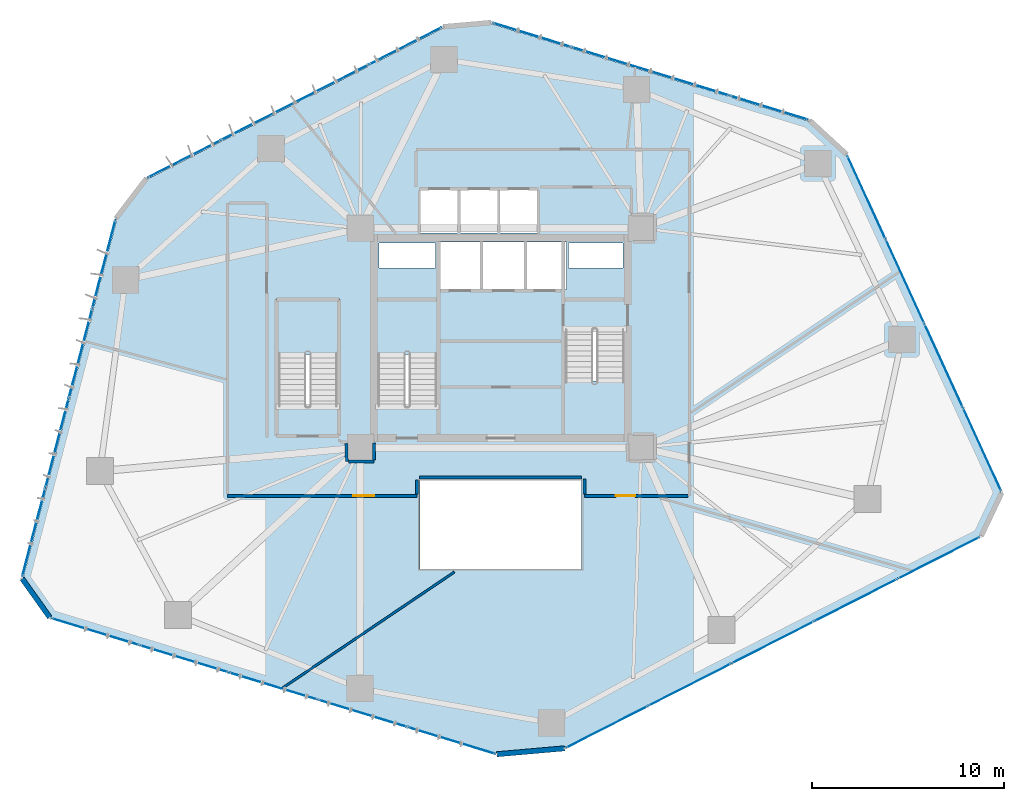
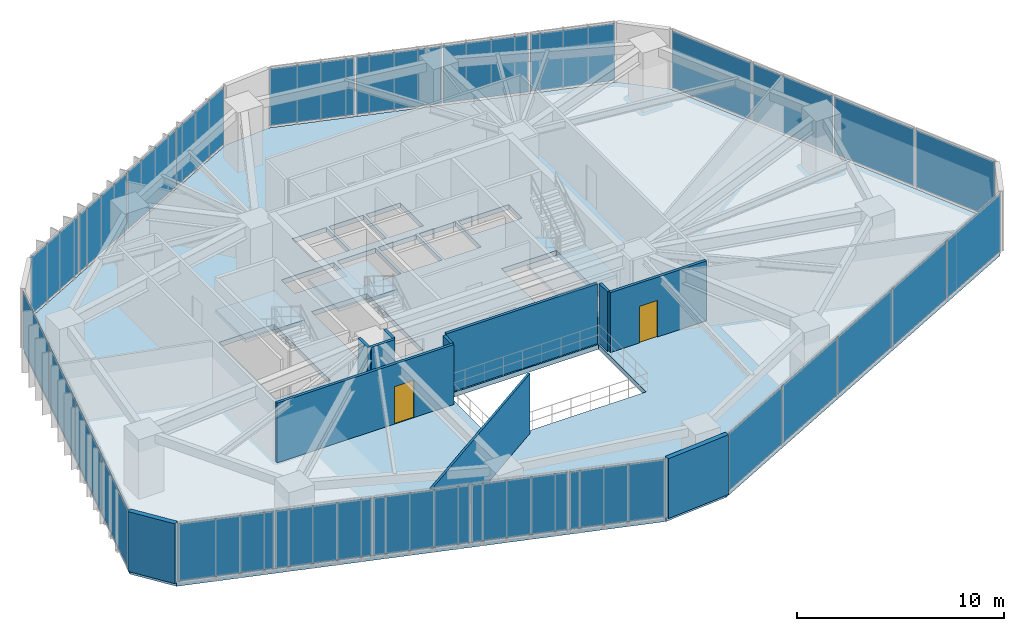
# One storey, part 18 of 24: 26 plates, 11 walls, 4 slabs, 2 doors, 2 openings, 9 elements without a shape of their own.
"""IFC4 building model written with IfcOpenShell, lengths in metres."""

from ifc_helpers import new_model, si_unit, direction, frame, frame_2d, origin, origin_2d, place, context, subcontext, project, spatial, polyline, rectangle, outline, extrude, source, transform, mapped, material, layer, layer_set, type_object, type_shapes, element, fill, aggregate, save


model = new_model("IFC4")

# Units and contexts
model_context = context("Model", 3, precision=1e-05, world=origin(), true_north=direction((0.0, 1.0)))
body_context = subcontext(model_context, "Body", "Model", "MODEL_VIEW")
ifc_project = project(units=[si_unit("LENGTHUNIT", "METRE"), si_unit("AREAUNIT", "SQUARE_METRE"), si_unit("VOLUMEUNIT", "CUBIC_METRE"), si_unit("PLANEANGLEUNIT", "RADIAN"), si_unit("MASSUNIT", "GRAM", prefix="KILO")], contexts=[model_context])

# Site, building, storey
site_placement = place(None, origin())
site = spatial("IfcSite", under=ifc_project, at=site_placement, CompositionType="ELEMENT")
building_placement = place(site_placement, origin())
building = spatial("IfcBuilding", under=site, at=building_placement, Name="Talar Marvaseh", CompositionType="ELEMENT")
storey_placement = place(building_placement, frame((0.0, 0.0, 39.199951171875)))
storey = spatial("IfcBuildingStorey", under=building, at=storey_placement, Name="L09", CompositionType="ELEMENT", Elevation=39.199951171875)

# Stair, slab
ifc_material_1 = material(Name="Concrete C40/50", Category="concrete")
stair_type = type_object("IfcStairType", Name="Reinforced Concrete Half-Turn Exit Stair Type B", PredefinedType="HALF_TURN_STAIR", material=ifc_material_1)
stair_1_placement = place(storey_placement, origin())
stair_1 = element("IfcStair", 1, at=stair_1_placement, inside=storey, type_object=stair_type, Name="L09 Tower West Core Exit Stair", PredefinedType="HALF_TURN_STAIR")
ifc_layer_1 = layer(ifc_material_1, 0.199951171875)
ifc_layer_set_1 = layer_set([ifc_layer_1], Name="Concrete C40/50")
slab_type_1 = type_object("IfcSlabType", Name="Reinforced Concrete Stair Half-Landing Slab 200", PredefinedType="LANDING", material=ifc_layer_set_1)
slab_1_placement = place(storey_placement, frame((0.0, 0.0, 1.699951171875)))
slab_1 = element("IfcSlab", 2, at=slab_1_placement, type_object=slab_type_1, Name="ST-1 landing 1", PredefinedType="LANDING", context=body_context, shape_type="SweptSolid", body=[
    extrude(outline(polyline([(22.780029296875, 30.330078125), (22.780029296875, 33.219970703125), (19.47998046875, 33.219970703125), (19.47998046875, 30.330078125), (22.780029296875, 30.330078125)])), origin(), (0.0, 0.0, 1.0), 0.2001953125),
])
aggregate(stair_1, [slab_1])

stair_2_placement = place(storey_placement, origin())
stair_2 = element("IfcStair", 3, at=stair_2_placement, inside=storey, type_object=stair_type, Name="L09 Tower East Core Exit Stair", PredefinedType="HALF_TURN_STAIR")
slab_2_placement = place(storey_placement, frame((0.0, 0.0, 1.699951171875)))
slab_2 = element("IfcSlab", 4, at=slab_2_placement, type_object=slab_type_1, Name="ST-2 landing 1", PredefinedType="LANDING", context=body_context, shape_type="SweptSolid", body=[
    extrude(outline(polyline([(29.219970703125, 28.969970703125), (29.219970703125, 26.080078125), (32.52001953125, 26.080078125), (32.52001953125, 28.969970703125), (29.219970703125, 28.969970703125)])), origin(), (0.0, 0.0, 1.0), 0.2001953125),
])
aggregate(stair_2, [slab_2])

stair_3_placement = place(storey_placement, origin())
stair_3 = element("IfcStair", 5, at=stair_3_placement, inside=storey, type_object=stair_type, Name="L09 Museum & Podium Auxiliary Exit Stair", PredefinedType="HALF_TURN_STAIR")
slab_3_placement = place(storey_placement, frame((0.0, 0.0, 1.699951171875)))
slab_3 = element("IfcSlab", 6, at=slab_3_placement, type_object=slab_type_1, Name="ST-3 landing 1", PredefinedType="LANDING", context=body_context, shape_type="SweptSolid", body=[
    extrude(outline(polyline([(17.6201171875, 30.330078125), (17.6201171875, 33.219970703125), (14.320068359375, 33.219970703125), (14.320068359375, 30.330078125), (17.6201171875, 30.330078125)])), origin(), (0.0, 0.0, 1.0), 0.2001953125),
])
aggregate(stair_3, [slab_3])

# Slab
ifc_layer_2 = layer(ifc_material_1, 0.280029296875)
ifc_layer_set_2 = layer_set([ifc_layer_2], Name="Concrete C40/50")
slab_type_2 = type_object("IfcSlabType", Name="Structural Suspended Floor Slab 280", PredefinedType="FLOOR", material=ifc_layer_set_2)
slab_4_placement = place(storey_placement, frame((0.0, 0.0, -0.280029296875)))
element("IfcSlab", 7, at=slab_4_placement, inside=storey, type_object=slab_type_2, Name="L09 Tower Floor Slab", PredefinedType="FLOOR", context=body_context, shape_type="SweptSolid", body=[
    extrude(outline(polyline([(2.61962890625, 16.707275390625), (1.1796875, 18.7314453125), (6.0537109375, 37.37109375), (7.64599609375, 39.455810546875), (23.00439453125, 47.30419921875), (25.510986328125, 47.523681640625), (41.998779296875, 42.461181640625), (43.92919921875, 40.684814453125), (51.9658203125, 23.174560546875), (50.8994140625, 20.93115234375), (29.311279296875, 9.935791015625), (25.788818359375, 9.627685546875), (2.61962890625, 16.707275390625)]), holes=[polyline([(22.659912109375, 27.64990234375), (22.659912109375, 33.10009765625), (19.60009765625, 33.10009765625), (19.60009765625, 27.64990234375), (22.659912109375, 27.64990234375)]), polyline([(29.340087890625, 31.64990234375), (29.340087890625, 26.199951171875), (32.39990234375, 26.199951171875), (32.39990234375, 31.64990234375), (29.340087890625, 31.64990234375)]), polyline([(17.5, 27.64990234375), (17.5, 33.10009765625), (14.43994140625, 33.10009765625), (14.43994140625, 27.64990234375), (17.5, 27.64990234375)]), polyline([(22.800048828125, 33.719970703125), (24.93994140625, 33.719970703125), (24.93994140625, 36.179931640625), (22.800048828125, 36.179931640625), (22.800048828125, 33.719970703125)]), polyline([(25.080078125, 33.719970703125), (27.219970703125, 33.719970703125), (27.219970703125, 36.179931640625), (25.080078125, 36.179931640625), (25.080078125, 33.719970703125)]), polyline([(27.360107421875, 33.719970703125), (29.39990234375, 33.719970703125), (29.39990234375, 36.179931640625), (27.360107421875, 36.179931640625), (27.360107421875, 33.719970703125)]), polyline([(21.840087890625, 36.659912109375), (23.760009765625, 36.659912109375), (23.760009765625, 38.8798828125), (21.840087890625, 38.8798828125), (21.840087890625, 36.659912109375)]), polyline([(23.89990234375, 36.659912109375), (25.820068359375, 36.659912109375), (25.820068359375, 38.8798828125), (23.89990234375, 38.8798828125), (23.89990234375, 36.659912109375)]), polyline([(25.9599609375, 36.659912109375), (27.8798828125, 36.659912109375), (27.8798828125, 38.8798828125), (25.9599609375, 38.8798828125), (25.9599609375, 36.659912109375)]), polyline([(19.659912109375, 34.840087890625), (22.60009765625, 34.840087890625), (22.60009765625, 36.139892578125), (19.659912109375, 36.139892578125), (19.659912109375, 34.840087890625)]), polyline([(29.52001953125, 34.840087890625), (32.340087890625, 34.840087890625), (32.340087890625, 36.139892578125), (29.52001953125, 36.139892578125), (29.52001953125, 34.840087890625)]), polyline([(21.800048828125, 19.199951171875), (30.199951171875, 19.199951171875), (30.199951171875, 23.800048828125), (21.800048828125, 23.800048828125), (21.800048828125, 19.199951171875)])]), origin(), (0.0, 0.0, 1.0), 0.280029296875),
])

# Curtain wall, plates
ifc_material_2 = material(Name="Architectural Aluminium", Category="aluminium")
ifc_layer_3 = layer(ifc_material_2, 0.219970703125)
ifc_layer_set_3 = layer_set([ifc_layer_3], Name="Architectural Aluminium")
curtain_wall_type = type_object("IfcCurtainWallType", Name="Unitised Low-E Museum Curtain Wall Z1", PredefinedType="NOTDEFINED", material=ifc_layer_set_3)
curtain_wall_1_placement = place(storey_placement, origin())
curtain_wall_1 = element("IfcCurtainWall", 8, at=curtain_wall_1_placement, inside=storey, type_object=curtain_wall_type, Name="L09 Unitised Low-E Museum Curtain Wall Z1", PredefinedType="NOTDEFINED")
ifc_material_3 = material(Name="Laminated Low-E Solar Glass", Category="glass")
ifc_layer_4 = layer(ifc_material_3, 0.028076171875)
ifc_layer_set_4 = layer_set([ifc_layer_4], Name="Laminated Low-E Solar Glass")
plate_type = type_object("IfcPlateType", Name="Double-Glazed Low-E Vision Curtain Panel 28", PredefinedType="CURTAIN_PANEL", material=ifc_layer_set_4)
shared_shape_1 = source(origin(), body_context, "Body", "SweptSolid", [
    extrude(rectangle(XDim=4.696533203125, YDim=0.028076171875, at=origin_2d()), origin(), (0.0, 0.0, 1.0), 3.3701171875),
])
plate_1_placement = place(storey_placement, frame((1.736083984375, 21.095947265625, 0.074951171875), z_axis=(0.0, 0.0, 1.0), x_axis=(0.252979238038, 0.96747170766, 0.0)))
plate_1 = element("IfcPlate", 9, at=plate_1_placement, type_object=plate_type, Name="CW-Z1 panel 1.1", PredefinedType="CURTAIN_PANEL", context=body_context, shape_type="MappedRepresentation", body=[
    mapped(shared_shape_1, transform((0.0, 0.0, 0.0), x_axis=(1.0, 0.0, 0.0), y_axis=(0.0, 1.0, 0.0), z_axis=(0.0, 0.0, 1.0), scale=1.0)),
])
plate_2_placement = place(storey_placement, frame((5.381591796875, 35.037109375, 0.074951171875), z_axis=(0.0, 0.0, 1.0), x_axis=(0.252979238038, 0.96747170766, 0.0)))
plate_2 = element("IfcPlate", 10, at=plate_2_placement, type_object=plate_type, Name="CW-Z1 panel 4.1", PredefinedType="CURTAIN_PANEL", context=body_context, shape_type="MappedRepresentation", body=[
    mapped(shared_shape_1, transform((0.0, 0.0, 0.0), x_axis=(1.0, 0.0, 0.0), y_axis=(0.0, 1.0, 0.0), z_axis=(0.0, 0.0, 1.0), scale=1.0)),
])

curtain_wall_2_placement = place(storey_placement, origin())
curtain_wall_2 = element("IfcCurtainWall", 11, at=curtain_wall_2_placement, inside=storey, type_object=curtain_wall_type, Name="L09 Unitised Low-E Museum Curtain Wall Z1", PredefinedType="NOTDEFINED")
plate_3_placement = place(storey_placement, frame((44.99658203125, 38.5029296875, 0.074951171875), z_axis=(0.0, 0.0, 1.0), x_axis=(0.417134698599, -0.908844674972, 0.0)))
plate_3 = element("IfcPlate", 12, at=plate_3_placement, type_object=plate_type, Name="CW-Z1 panel 1.1", PredefinedType="CURTAIN_PANEL", context=body_context, shape_type="MappedRepresentation", body=[
    mapped(shared_shape_1, transform((0.0, 0.0, 0.0), x_axis=(1.0, 0.0, 0.0), y_axis=(0.0, 1.0, 0.0), z_axis=(0.0, 0.0, 1.0), scale=1.0)),
])
plate_4_placement = place(storey_placement, frame((51.00732421875, 25.406494140625, 0.074951171875), z_axis=(0.0, 0.0, 1.0), x_axis=(0.417134698599, -0.908844674972, 0.0)))
plate_4 = element("IfcPlate", 13, at=plate_4_placement, type_object=plate_type, Name="CW-Z1 panel 4.1", PredefinedType="CURTAIN_PANEL", context=body_context, shape_type="MappedRepresentation", body=[
    mapped(shared_shape_1, transform((0.0, 0.0, 0.0), x_axis=(1.0, 0.0, 0.0), y_axis=(0.0, 1.0, 0.0), z_axis=(0.0, 0.0, 1.0), scale=1.0)),
])

# Plate
shared_shape_2 = source(origin(), body_context, "Body", "SweptSolid", [
    extrude(rectangle(XDim=4.736572265625, YDim=0.028076171875, at=origin_2d()), origin(), (0.0, 0.0, 1.0), 3.3701171875),
])
plate_5_placement = place(storey_placement, frame((2.949462890625, 25.736572265625, 0.074951171875), z_axis=(0.0, 0.0, 1.0), x_axis=(0.252979238038, 0.96747170766, 0.0)))
plate_5 = element("IfcPlate", 14, at=plate_5_placement, type_object=plate_type, Name="CW-Z1 panel 2.1", PredefinedType="CURTAIN_PANEL", context=body_context, shape_type="MappedRepresentation", body=[
    mapped(shared_shape_2, transform((0.0, 0.0, 0.0), x_axis=(1.0, 0.0, 0.0), y_axis=(0.0, 1.0, 0.0), z_axis=(0.0, 0.0, 1.0), scale=1.0)),
])

plate_6_placement = place(storey_placement, frame((4.16796875, 30.396484375, 0.074951171875), z_axis=(0.0, 0.0, 1.0), x_axis=(0.252979238038, 0.96747170766, 0.0)))
plate_6 = element("IfcPlate", 15, at=plate_6_placement, type_object=plate_type, Name="CW-Z1 panel 3.1", PredefinedType="CURTAIN_PANEL", context=body_context, shape_type="MappedRepresentation", body=[
    mapped(shared_shape_2, transform((0.0, 0.0, 0.0), x_axis=(1.0, 0.0, 0.0), y_axis=(0.0, 1.0, 0.0), z_axis=(0.0, 0.0, 1.0), scale=1.0)),
])

aggregate(curtain_wall_1, [plate_1, plate_5, plate_6, plate_2])

plate_7_placement = place(storey_placement, frame((46.997314453125, 34.1435546875, 0.074951171875), z_axis=(0.0, 0.0, 1.0), x_axis=(0.417134698599, -0.908844674972, 0.0)))
plate_7 = element("IfcPlate", 16, at=plate_7_placement, type_object=plate_type, Name="CW-Z1 panel 2.1", PredefinedType="CURTAIN_PANEL", context=body_context, shape_type="MappedRepresentation", body=[
    mapped(shared_shape_2, transform((0.0, 0.0, 0.0), x_axis=(1.0, 0.0, 0.0), y_axis=(0.0, 1.0, 0.0), z_axis=(0.0, 0.0, 1.0), scale=1.0)),
])

plate_8_placement = place(storey_placement, frame((49.006591796875, 29.765869140625, 0.074951171875), z_axis=(0.0, 0.0, 1.0), x_axis=(0.417134698599, -0.908844674972, 0.0)))
plate_8 = element("IfcPlate", 17, at=plate_8_placement, type_object=plate_type, Name="CW-Z1 panel 3.1", PredefinedType="CURTAIN_PANEL", context=body_context, shape_type="MappedRepresentation", body=[
    mapped(shared_shape_2, transform((0.0, 0.0, 0.0), x_axis=(1.0, 0.0, 0.0), y_axis=(0.0, 1.0, 0.0), z_axis=(0.0, 0.0, 1.0), scale=1.0)),
])

aggregate(curtain_wall_2, [plate_3, plate_7, plate_8, plate_4])

# Curtain wall, plates
curtain_wall_3_placement = place(storey_placement, origin())
curtain_wall_3 = element("IfcCurtainWall", 18, at=curtain_wall_3_placement, inside=storey, type_object=curtain_wall_type, Name="L09 Unitised Low-E Museum Curtain Wall Z1", PredefinedType="NOTDEFINED")
shared_shape_3 = source(origin(), body_context, "Body", "SweptSolid", [
    extrude(rectangle(XDim=4.19189453125, YDim=0.028076171875, at=origin_2d()), origin(), (0.0, 0.0, 1.0), 3.3701171875),
])
plate_9_placement = place(storey_placement, frame((9.556396484375, 40.49951171875, 0.074951171875), z_axis=(0.0, 0.0, 1.0), x_axis=(0.890468722661, 0.455044452732, 0.0)))
plate_9 = element("IfcPlate", 19, at=plate_9_placement, type_object=plate_type, Name="CW-Z1 panel 1.1", PredefinedType="CURTAIN_PANEL", context=body_context, shape_type="MappedRepresentation", body=[
    mapped(shared_shape_3, transform((0.0, 0.0, 0.0), x_axis=(1.0, 0.0, 0.0), y_axis=(0.0, 1.0, 0.0), z_axis=(0.0, 0.0, 1.0), scale=1.0)),
])
plate_10_placement = place(storey_placement, frame((21.03955078125, 46.367431640625, 0.074951171875), z_axis=(0.0, 0.0, 1.0), x_axis=(0.890468722661, 0.455044452732, 0.0)))
plate_10 = element("IfcPlate", 20, at=plate_10_placement, type_object=plate_type, Name="CW-Z1 panel 4.1", PredefinedType="CURTAIN_PANEL", context=body_context, shape_type="MappedRepresentation", body=[
    mapped(shared_shape_3, transform((0.0, 0.0, 0.0), x_axis=(1.0, 0.0, 0.0), y_axis=(0.0, 1.0, 0.0), z_axis=(0.0, 0.0, 1.0), scale=1.0)),
])

curtain_wall_4_placement = place(storey_placement, origin())
curtain_wall_4 = element("IfcCurtainWall", 21, at=curtain_wall_4_placement, inside=storey, type_object=curtain_wall_type, Name="L09 Unitised Low-E Museum Curtain Wall Z1", PredefinedType="NOTDEFINED")
plate_11_placement = place(storey_placement, frame((27.608642578125, 46.9423828125, 0.074951171875), z_axis=(0.0, 0.0, 1.0), x_axis=(0.955956470322, -0.293508478326, 0.0)))
plate_11 = element("IfcPlate", 22, at=plate_11_placement, type_object=plate_type, Name="CW-Z1 panel 1.1", PredefinedType="CURTAIN_PANEL", context=body_context, shape_type="MappedRepresentation", body=[
    mapped(shared_shape_3, transform((0.0, 0.0, 0.0), x_axis=(1.0, 0.0, 0.0), y_axis=(0.0, 1.0, 0.0), z_axis=(0.0, 0.0, 1.0), scale=1.0)),
])
plate_12_placement = place(storey_placement, frame((39.936279296875, 43.157470703125, 0.074951171875), z_axis=(0.0, 0.0, 1.0), x_axis=(0.955956470322, -0.293508478326, 0.0)))
plate_12 = element("IfcPlate", 23, at=plate_12_placement, type_object=plate_type, Name="CW-Z1 panel 4.1", PredefinedType="CURTAIN_PANEL", context=body_context, shape_type="MappedRepresentation", body=[
    mapped(shared_shape_3, transform((0.0, 0.0, 0.0), x_axis=(1.0, 0.0, 0.0), y_axis=(0.0, 1.0, 0.0), z_axis=(0.0, 0.0, 1.0), scale=1.0)),
])

# Plate
shared_shape_4 = source(origin(), body_context, "Body", "SweptSolid", [
    extrude(rectangle(XDim=4.23193359375, YDim=0.028076171875, at=origin_2d()), origin(), (0.0, 0.0, 1.0), 3.3701171875),
])
plate_13_placement = place(storey_placement, frame((13.378173828125, 42.452392578125, 0.074951171875), z_axis=(0.0, 0.0, 1.0), x_axis=(0.890468722661, 0.455044452732, 0.0)))
plate_13 = element("IfcPlate", 24, at=plate_13_placement, type_object=plate_type, Name="CW-Z1 panel 2.1", PredefinedType="CURTAIN_PANEL", context=body_context, shape_type="MappedRepresentation", body=[
    mapped(shared_shape_4, transform((0.0, 0.0, 0.0), x_axis=(1.0, 0.0, 0.0), y_axis=(0.0, 1.0, 0.0), z_axis=(0.0, 0.0, 1.0), scale=1.0)),
])

plate_14_placement = place(storey_placement, frame((17.2177734375, 44.41455078125, 0.074951171875), z_axis=(0.0, 0.0, 1.0), x_axis=(0.890468722661, 0.455044452732, 0.0)))
plate_14 = element("IfcPlate", 25, at=plate_14_placement, type_object=plate_type, Name="CW-Z1 panel 3.1", PredefinedType="CURTAIN_PANEL", context=body_context, shape_type="MappedRepresentation", body=[
    mapped(shared_shape_4, transform((0.0, 0.0, 0.0), x_axis=(1.0, 0.0, 0.0), y_axis=(0.0, 1.0, 0.0), z_axis=(0.0, 0.0, 1.0), scale=1.0)),
])

aggregate(curtain_wall_3, [plate_9, plate_13, plate_14, plate_10])

plate_15_placement = place(storey_placement, frame((31.711669921875, 45.6826171875, 0.074951171875), z_axis=(0.0, 0.0, 1.0), x_axis=(0.955956470322, -0.293508478326, 0.0)))
plate_15 = element("IfcPlate", 26, at=plate_15_placement, type_object=plate_type, Name="CW-Z1 panel 2.1", PredefinedType="CURTAIN_PANEL", context=body_context, shape_type="MappedRepresentation", body=[
    mapped(shared_shape_4, transform((0.0, 0.0, 0.0), x_axis=(1.0, 0.0, 0.0), y_axis=(0.0, 1.0, 0.0), z_axis=(0.0, 0.0, 1.0), scale=1.0)),
])

plate_16_placement = place(storey_placement, frame((35.83349609375, 44.4169921875, 0.074951171875), z_axis=(0.0, 0.0, 1.0), x_axis=(0.955956470322, -0.293508478326, 0.0)))
plate_16 = element("IfcPlate", 27, at=plate_16_placement, type_object=plate_type, Name="CW-Z1 panel 3.1", PredefinedType="CURTAIN_PANEL", context=body_context, shape_type="MappedRepresentation", body=[
    mapped(shared_shape_4, transform((0.0, 0.0, 0.0), x_axis=(1.0, 0.0, 0.0), y_axis=(0.0, 1.0, 0.0), z_axis=(0.0, 0.0, 1.0), scale=1.0)),
])

aggregate(curtain_wall_4, [plate_11, plate_15, plate_16, plate_12])

# Curtain wall, plates
curtain_wall_5_placement = place(storey_placement, origin())
curtain_wall_5 = element("IfcCurtainWall", 28, at=curtain_wall_5_placement, inside=storey, type_object=curtain_wall_type, Name="L09 Unitised Low-E Museum Curtain Wall Z1", PredefinedType="NOTDEFINED")
shared_shape_5 = source(origin(), body_context, "Body", "SweptSolid", [
    extrude(rectangle(XDim=4.725341796875, YDim=0.028076171875, at=origin_2d()), origin(), (0.0, 0.0, 1.0), 3.3701171875),
])
plate_17_placement = place(storey_placement, frame((48.75, 19.76904296875, 0.074951171875), z_axis=(0.0, 0.0, 1.0), x_axis=(-0.891078049709, -0.453850095655, 0.0)))
plate_17 = element("IfcPlate", 29, at=plate_17_placement, type_object=plate_type, Name="CW-Z1 panel 1.1", PredefinedType="CURTAIN_PANEL", context=body_context, shape_type="MappedRepresentation", body=[
    mapped(shared_shape_5, transform((0.0, 0.0, 0.0), x_axis=(1.0, 0.0, 0.0), y_axis=(0.0, 1.0, 0.0), z_axis=(0.0, 0.0, 1.0), scale=1.0)),
])
plate_18_placement = place(storey_placement, frame((31.51513671875, 10.990966796875, 0.074951171875), z_axis=(0.0, 0.0, 1.0), x_axis=(-0.891078049709, -0.453850095655, 0.0)))
plate_18 = element("IfcPlate", 30, at=plate_18_placement, type_object=plate_type, Name="CW-Z1 panel 5.1", PredefinedType="CURTAIN_PANEL", context=body_context, shape_type="MappedRepresentation", body=[
    mapped(shared_shape_5, transform((0.0, 0.0, 0.0), x_axis=(1.0, 0.0, 0.0), y_axis=(0.0, 1.0, 0.0), z_axis=(0.0, 0.0, 1.0), scale=1.0)),
])

curtain_wall_6_placement = place(storey_placement, origin())
curtain_wall_6 = element("IfcCurtainWall", 31, at=curtain_wall_6_placement, inside=storey, type_object=curtain_wall_type, Name="L09 Unitised Low-E Museum Curtain Wall Z1", PredefinedType="NOTDEFINED")
plate_19_placement = place(storey_placement, frame((23.435302734375, 10.283935546875, 0.074951171875), z_axis=(0.0, 0.0, 1.0), x_axis=(-0.956350161163, 0.29222314974, 0.0)))
plate_19 = element("IfcPlate", 32, at=plate_19_placement, type_object=plate_type, Name="CW-Z1 panel 1.1", PredefinedType="CURTAIN_PANEL", context=body_context, shape_type="MappedRepresentation", body=[
    mapped(shared_shape_5, transform((0.0, 0.0, 0.0), x_axis=(1.0, 0.0, 0.0), y_axis=(0.0, 1.0, 0.0), z_axis=(0.0, 0.0, 1.0), scale=1.0)),
])
plate_20_placement = place(storey_placement, frame((4.938232421875, 15.93603515625, 0.074951171875), z_axis=(0.0, 0.0, 1.0), x_axis=(-0.956350161163, 0.29222314974, 0.0)))
plate_20 = element("IfcPlate", 33, at=plate_20_placement, type_object=plate_type, Name="CW-Z1 panel 5.1", PredefinedType="CURTAIN_PANEL", context=body_context, shape_type="MappedRepresentation", body=[
    mapped(shared_shape_5, transform((0.0, 0.0, 0.0), x_axis=(1.0, 0.0, 0.0), y_axis=(0.0, 1.0, 0.0), z_axis=(0.0, 0.0, 1.0), scale=1.0)),
])

# Plate
shared_shape_6 = source(origin(), body_context, "Body", "SweptSolid", [
    extrude(rectangle(XDim=4.765380859375, YDim=0.028076171875, at=origin_2d()), origin(), (0.0, 0.0, 1.0), 3.3701171875),
])
type_shapes(plate_type, [shared_shape_1, shared_shape_2, shared_shape_3, shared_shape_4, shared_shape_5, shared_shape_6])
plate_21_placement = place(storey_placement, frame((44.4501953125, 17.5791015625, 0.074951171875), z_axis=(0.0, 0.0, 1.0), x_axis=(-0.891078049709, -0.453850095655, 0.0)))
plate_21 = element("IfcPlate", 34, at=plate_21_placement, type_object=plate_type, Name="CW-Z1 panel 2.1", PredefinedType="CURTAIN_PANEL", context=body_context, shape_type="MappedRepresentation", body=[
    mapped(shared_shape_6, transform((0.0, 0.0, 0.0), x_axis=(1.0, 0.0, 0.0), y_axis=(0.0, 1.0, 0.0), z_axis=(0.0, 0.0, 1.0), scale=1.0)),
])

plate_22_placement = place(storey_placement, frame((40.132568359375, 15.3798828125, 0.074951171875), z_axis=(0.0, 0.0, 1.0), x_axis=(-0.891078049709, -0.453850095655, 0.0)))
plate_22 = element("IfcPlate", 35, at=plate_22_placement, type_object=plate_type, Name="CW-Z1 panel 3.1", PredefinedType="CURTAIN_PANEL", context=body_context, shape_type="MappedRepresentation", body=[
    mapped(shared_shape_6, transform((0.0, 0.0, 0.0), x_axis=(1.0, 0.0, 0.0), y_axis=(0.0, 1.0, 0.0), z_axis=(0.0, 0.0, 1.0), scale=1.0)),
])

plate_23_placement = place(storey_placement, frame((35.81494140625, 13.180908203125, 0.074951171875), z_axis=(0.0, 0.0, 1.0), x_axis=(-0.891078049709, -0.453850095655, 0.0)))
plate_23 = element("IfcPlate", 36, at=plate_23_placement, type_object=plate_type, Name="CW-Z1 panel 4.1", PredefinedType="CURTAIN_PANEL", context=body_context, shape_type="MappedRepresentation", body=[
    mapped(shared_shape_6, transform((0.0, 0.0, 0.0), x_axis=(1.0, 0.0, 0.0), y_axis=(0.0, 1.0, 0.0), z_axis=(0.0, 0.0, 1.0), scale=1.0)),
])

aggregate(curtain_wall_5, [plate_17, plate_21, plate_22, plate_23, plate_18])

plate_24_placement = place(storey_placement, frame((18.820556640625, 11.694091796875, 0.074951171875), z_axis=(0.0, 0.0, 1.0), x_axis=(-0.956350161163, 0.29222314974, 0.0)))
plate_24 = element("IfcPlate", 37, at=plate_24_placement, type_object=plate_type, Name="CW-Z1 panel 2.1", PredefinedType="CURTAIN_PANEL", context=body_context, shape_type="MappedRepresentation", body=[
    mapped(shared_shape_6, transform((0.0, 0.0, 0.0), x_axis=(1.0, 0.0, 0.0), y_axis=(0.0, 1.0, 0.0), z_axis=(0.0, 0.0, 1.0), scale=1.0)),
])

plate_25_placement = place(storey_placement, frame((14.186767578125, 13.110107421875, 0.074951171875), z_axis=(0.0, 0.0, 1.0), x_axis=(-0.956350161163, 0.29222314974, 0.0)))
plate_25 = element("IfcPlate", 38, at=plate_25_placement, type_object=plate_type, Name="CW-Z1 panel 3.1", PredefinedType="CURTAIN_PANEL", context=body_context, shape_type="MappedRepresentation", body=[
    mapped(shared_shape_6, transform((0.0, 0.0, 0.0), x_axis=(1.0, 0.0, 0.0), y_axis=(0.0, 1.0, 0.0), z_axis=(0.0, 0.0, 1.0), scale=1.0)),
])

plate_26_placement = place(storey_placement, frame((9.552978515625, 14.52587890625, 0.074951171875), z_axis=(0.0, 0.0, 1.0), x_axis=(-0.956350161163, 0.29222314974, 0.0)))
plate_26 = element("IfcPlate", 39, at=plate_26_placement, type_object=plate_type, Name="CW-Z1 panel 4.1", PredefinedType="CURTAIN_PANEL", context=body_context, shape_type="MappedRepresentation", body=[
    mapped(shared_shape_6, transform((0.0, 0.0, 0.0), x_axis=(1.0, 0.0, 0.0), y_axis=(0.0, 1.0, 0.0), z_axis=(0.0, 0.0, 1.0), scale=1.0)),
])

aggregate(curtain_wall_6, [plate_19, plate_24, plate_25, plate_26, plate_20])

# Walls
ifc_material_4 = material(Name="Precast concrete C45/55", Category="concrete")
ifc_layer_5 = layer(ifc_material_4, 0.27001953125)
ifc_layer_set_5 = layer_set([ifc_layer_5], Name="Precast concrete C45/55")
wall_type_1 = type_object("IfcWallType", Name="Chamfered Hexagonal Corner Pier Wall Z1 270", PredefinedType="SOLIDWALL", material=ifc_layer_set_5)
wall_1_placement = place(storey_placement, frame((2.57080078125, 16.67236328125, 0.0), z_axis=(0.0, 0.0, 1.0), x_axis=(-0.579665929936, 0.814854226025, 0.0)))
element("IfcWall", 40, at=wall_1_placement, inside=storey, type_object=wall_type_1, Name="L09 Chamfered Corner Limestone Pier 1", PredefinedType="SOLIDWALL", context=body_context, shape_type="SweptSolid", body=[
    extrude(rectangle(XDim=2.484130859375, YDim=0.27001953125, at=frame_2d((1.2421875, 0.0))), origin(), (0.0, 0.0, 1.0), 3.52001953125),
])
wall_2_placement = place(storey_placement, frame((29.316650390625, 9.8759765625, 0.0), z_axis=(0.0, 0.0, 1.0), x_axis=(-0.99619641505, -0.087136115594, 0.0)))
element("IfcWall", 41, at=wall_2_placement, inside=storey, type_object=wall_type_1, Name="L09 Chamfered Corner Limestone Pier 6", PredefinedType="SOLIDWALL", context=body_context, shape_type="SweptSolid", body=[
    extrude(rectangle(XDim=3.535888671875, YDim=0.27001953125, at=frame_2d((1.76806640625, 0.0))), origin(), (0.0, 0.0, 1.0), 3.52001953125),
])

# Wall, opening, door
ifc_material_5 = material(Name="Gypsum Board Partition Assembly")
ifc_layer_6 = layer(ifc_material_5, 0.155029296875)
ifc_layer_set_6 = layer_set([ifc_layer_6], Name="Gypsum Board Partition Assembly")
wall_type_2 = type_object("IfcWallType", Name="Corridor Fire-Rated Acoustic Partition 155", PredefinedType="PARTITIONING", material=ifc_layer_set_6)
wall_3_placement = place(storey_placement, frame((21.639892578125, 23.0, 0.0), z_axis=(0.0, 0.0, 1.0), x_axis=(-1.0, 0.0, 0.0)))
wall_3 = element("IfcWall", 42, at=wall_3_placement, inside=storey, type_object=wall_type_2, Name="L09 Interior Partition Wall", PredefinedType="PARTITIONING", context=body_context, shape_type="SweptSolid", body=[
    extrude(rectangle(XDim=9.83984375, YDim=0.155029296875, at=frame_2d((4.919921875, 0.0))), origin(), (0.0, 0.0, 1.0), 3.52001953125),
])
opening_1_placement = place(wall_3_placement, frame((2.205078125, 0.0, 0.0)))
opening_1 = element("IfcOpeningElement", 43, at=opening_1_placement, cuts=wall_3, Name="Opening DR-RM110", PredefinedType="OPENING", context=body_context, shape_type="SweptSolid", body=[
    extrude(rectangle(XDim=1.10009765625, YDim=2.199951171875, at=frame_2d((0.550048828125, 1.10009765625))), frame((0.0, 0.08740234375, 0.0), z_axis=(0.0, -1.0, 0.0), x_axis=(1.0, 0.0, 0.0)), (0.0, 0.0, 1.0), 0.175048828125),
])
ifc_material_6 = material(Name="Acoustic Engineered Oak Timber", Category="wood")
door_type_1 = type_object("IfcDoorType", Name="Assembly and Reading Hall Door 1100x2200", OperationType="NOTDEFINED", PredefinedType="DOOR", material=ifc_material_6)
shared_shape_7 = source(origin(), body_context, "Body", "SweptSolid", [
    extrude(rectangle(XDim=1.10009765625, YDim=2.199951171875, at=frame_2d((0.550048828125, 1.10009765625))), frame((0.0, 0.02490234375, 0.0), z_axis=(0.0, -1.0, 0.0), x_axis=(1.0, 0.0, 0.0)), (0.0, 0.0, 1.0), 0.050048828125),
])
type_shapes(door_type_1, [shared_shape_7])
door_1_placement = place(opening_1_placement, origin())
door_1 = element("IfcDoor", 44, at=door_1_placement, inside=storey, type_object=door_type_1, Name="L09 Exhibition Gallery Door", OperationType="SINGLE_SWING_RIGHT", OverallHeight=2.199951171875, OverallWidth=1.10009765625, PredefinedType="DOOR", context=body_context, shape_type="MappedRepresentation", body=[
    mapped(shared_shape_7, transform((0.0, 0.0, 0.0), x_axis=(1.0, 0.0, 0.0), y_axis=(0.0, 1.0, 0.0), z_axis=(0.0, 0.0, 1.0), scale=1.0)),
])
fill(opening_1, door_1)

wall_4_placement = place(storey_placement, frame((35.716552734375, 23.0, 0.0), z_axis=(0.0, 0.0, 1.0), x_axis=(-1.0, 0.0, 0.0)))
wall_4 = element("IfcWall", 45, at=wall_4_placement, inside=storey, type_object=wall_type_2, Name="L09 Interior Partition Wall", PredefinedType="PARTITIONING", context=body_context, shape_type="SweptSolid", body=[
    extrude(rectangle(XDim=5.3564453125, YDim=0.155029296875, at=frame_2d((2.67822265625, 0.0))), origin(), (0.0, 0.0, 1.0), 3.52001953125),
])
opening_2_placement = place(wall_4_placement, frame((2.735107421875, 0.0, 0.0)))
opening_2 = element("IfcOpeningElement", 46, at=opening_2_placement, cuts=wall_4, Name="Opening DR-RM100", PredefinedType="OPENING", context=body_context, shape_type="SweptSolid", body=[
    extrude(rectangle(XDim=1.0, YDim=2.14990234375, at=frame_2d((0.5, 1.074951171875))), frame((0.0, 0.08740234375, 0.0), z_axis=(0.0, -1.0, 0.0), x_axis=(1.0, 0.0, 0.0)), (0.0, 0.0, 1.0), 0.175048828125),
])
door_type_2 = type_object("IfcDoorType", Name="Corridor Fire-Rated Gallery Door 1000x2150", OperationType="NOTDEFINED", PredefinedType="DOOR", material=ifc_material_6)
shared_shape_8 = source(origin(), body_context, "Body", "SweptSolid", [
    extrude(rectangle(XDim=1.0, YDim=2.14990234375, at=frame_2d((0.5, 1.074951171875))), frame((0.0, 0.02490234375, 0.0), z_axis=(0.0, -1.0, 0.0), x_axis=(1.0, 0.0, 0.0)), (0.0, 0.0, 1.0), 0.050048828125),
])
type_shapes(door_type_2, [shared_shape_8])
door_2_placement = place(opening_2_placement, origin())
door_2 = element("IfcDoor", 47, at=door_2_placement, inside=storey, type_object=door_type_2, Name="L09 Seminar Room Door", OperationType="SINGLE_SWING_LEFT", OverallHeight=2.14990234375, OverallWidth=1.0, PredefinedType="DOOR", context=body_context, shape_type="MappedRepresentation", body=[
    mapped(shared_shape_8, transform((0.0, 0.0, 0.0), x_axis=(1.0, 0.0, 0.0), y_axis=(0.0, 1.0, 0.0), z_axis=(0.0, 0.0, 1.0), scale=1.0)),
])
fill(opening_2, door_2)

# Walls
wall_5_placement = place(storey_placement, frame((30.199951171875, 23.9599609375, 0.0), z_axis=(0.0, 0.0, 1.0), x_axis=(-0.999999996213, -8.7029677e-05, 0.0)))
element("IfcWall", 48, at=wall_5_placement, inside=storey, type_object=wall_type_2, Name="L09 Interior Partition Wall", PredefinedType="PARTITIONING", context=body_context, shape_type="SweptSolid", body=[
    extrude(rectangle(XDim=8.415771484375, YDim=0.155029296875, at=frame_2d((4.2080078125, 0.0))), origin(), (0.0, 0.0, 1.0), 3.52001953125),
])
wall_6_placement = place(storey_placement, frame((21.64306640625, 23.831298828125, 0.0), z_axis=(0.0, 0.0, 1.0), x_axis=(-0.00359122725, -0.999993551523, 0.0)))
element("IfcWall", 49, at=wall_6_placement, inside=storey, type_object=wall_type_2, Name="L09 Interior Partition Wall", PredefinedType="PARTITIONING", context=body_context, shape_type="SweptSolid", body=[
    extrude(rectangle(XDim=0.747802734375, YDim=0.155029296875, at=frame_2d((0.3740234375, 0.0))), origin(), (0.0, 0.0, 1.0), 3.52001953125),
])
wall_7_placement = place(storey_placement, frame((17.986083984375, 25.716552734375, 0.0), z_axis=(0.0, 0.0, 1.0), x_axis=(0.013367088724, -0.999910656478, 0.0)))
element("IfcWall", 50, at=wall_7_placement, inside=storey, type_object=wall_type_2, Name="L09 Interior Partition Wall", PredefinedType="PARTITIONING", context=body_context, shape_type="SweptSolid", body=[
    extrude(rectangle(XDim=0.931396484375, YDim=0.155029296875, at=frame_2d((0.4658203125, 0.0))), origin(), (0.0, 0.0, 1.0), 3.52001953125),
])
wall_8_placement = place(storey_placement, frame((18.08203125, 24.78515625, 0.0), z_axis=(0.0, 0.0, 1.0), x_axis=(0.99999830547, 0.001840939443, 0.0)))
element("IfcWall", 51, at=wall_8_placement, inside=storey, type_object=wall_type_2, Name="L09 Interior Partition Wall", PredefinedType="PARTITIONING", context=body_context, shape_type="SweptSolid", body=[
    extrude(rectangle(XDim=1.326171875, YDim=0.155029296875, at=frame_2d((0.6630859375, 0.0))), origin(), (0.0, 0.0, 1.0), 3.52001953125),
])
wall_9_placement = place(storey_placement, frame((19.408935546875, 24.87109375, 0.0), z_axis=(0.0, 0.0, 1.0), x_axis=(0.007106130977, 0.999974751133, 0.0)))
element("IfcWall", 52, at=wall_9_placement, inside=storey, type_object=wall_type_2, Name="L09 Interior Partition Wall", PredefinedType="PARTITIONING", context=body_context, shape_type="SweptSolid", body=[
    extrude(rectangle(XDim=0.85888671875, YDim=0.155029296875, at=frame_2d((0.429443359375, 0.0))), origin(), (0.0, 0.0, 1.0), 3.52001953125),
])
wall_10_placement = place(storey_placement, frame((30.358154296875, 23.08349609375, 0.0), z_axis=(0.0, 0.0, 1.0), x_axis=(-0.021573276475, 0.999767269789, 0.0)))
element("IfcWall", 53, at=wall_10_placement, inside=storey, type_object=wall_type_2, Name="L09 Interior Partition Wall", PredefinedType="PARTITIONING", context=body_context, shape_type="SweptSolid", body=[
    extrude(rectangle(XDim=0.792236328125, YDim=0.155029296875, at=frame_2d((0.39599609375, 0.0))), origin(), (0.0, 0.0, 1.0), 3.52001953125),
])
ifc_layer_7 = layer(ifc_material_5, 0.1201171875)
ifc_layer_set_7 = layer_set([ifc_layer_7], Name="Gypsum Board Partition Assembly")
wall_type_3 = type_object("IfcWallType", Name="Demountable Studio Room Partition 120", PredefinedType="PARTITIONING", material=ifc_layer_set_7)
wall_11_placement = place(storey_placement, frame((23.590087890625, 19.0400390625, 0.0), z_axis=(0.0, 0.0, 1.0), x_axis=(-0.828835316483, -0.559492643517, 0.0)))
element("IfcWall", 54, at=wall_11_placement, inside=storey, type_object=wall_type_3, Name="L09 Interior Partition Wall", PredefinedType="PARTITIONING", context=body_context, shape_type="SweptSolid", body=[
    extrude(rectangle(XDim=10.806396484375, YDim=0.1201171875, at=frame_2d((5.4033203125, 0.0))), origin(), (0.0, 0.0, 1.0), 3.52001953125),
])

save(model, "model.ifc")
